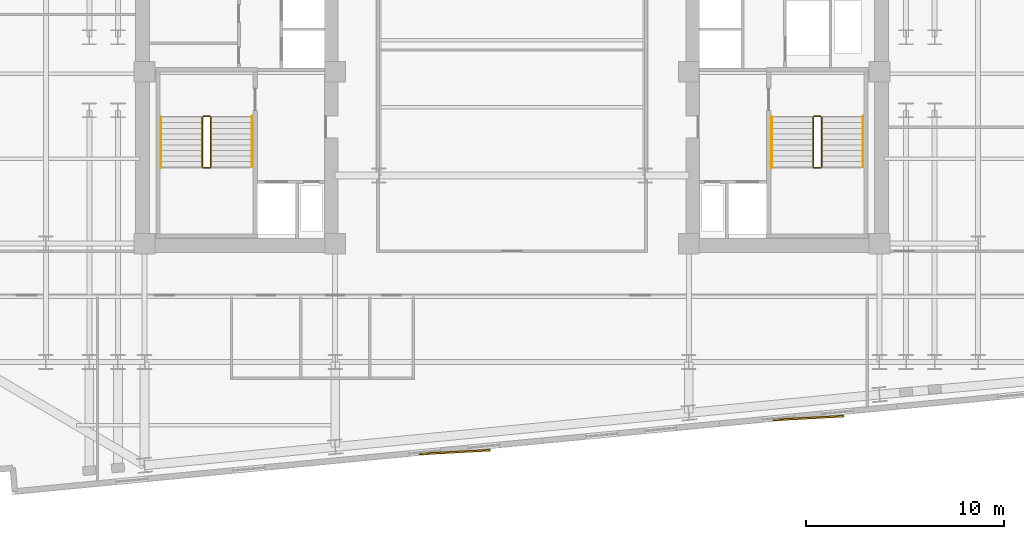
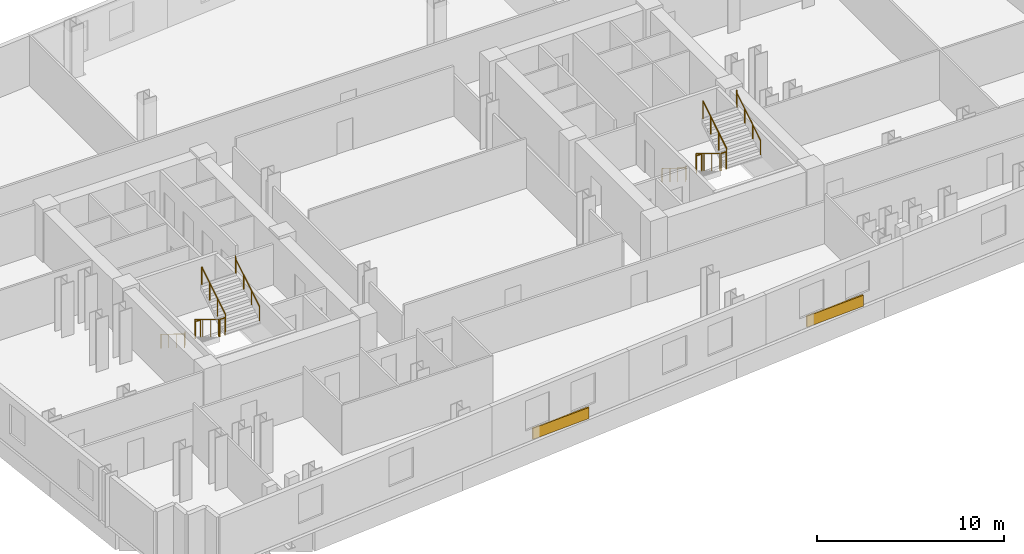
# One storey, part 9 of 10: 12 railings, 2 coverings.
"""IFC4 building model written with IfcOpenShell, lengths in metres."""

from ifc_helpers import new_model, si_unit, direction, frame, origin, origin_2d, place, context, subcontext, project, spatial, rectangle, circle, extrude, material, layer, layer_set, type_object, element, save


model = new_model("IFC4")

# Units and contexts
model_context = context("Model", 3, precision=1e-05, world=origin(), true_north=direction((0.0, 1.0)))
body_context = subcontext(model_context, "Body", "Model", "MODEL_VIEW")
ifc_project = project(units=[si_unit("LENGTHUNIT", "METRE"), si_unit("AREAUNIT", "SQUARE_METRE"), si_unit("VOLUMEUNIT", "CUBIC_METRE"), si_unit("PLANEANGLEUNIT", "RADIAN"), si_unit("MASSUNIT", "GRAM", prefix="KILO")], contexts=[model_context])

# Site, building, storey
site_placement = place(None, origin())
site = spatial("IfcSite", under=ifc_project, at=site_placement, CompositionType="ELEMENT")
building_placement = place(site_placement, origin())
building = spatial("IfcBuilding", under=site, at=building_placement, Name="Velakula Bourse", CompositionType="ELEMENT")
storey_placement = place(building_placement, frame((0.0, 0.0, 74.199951171875)))
storey = spatial("IfcBuildingStorey", under=building, at=storey_placement, Name="L19", CompositionType="ELEMENT", Elevation=74.199951171875)

# Coverings
ifc_material_1 = material(Name="Buff kilned clay facing brick masonry", Category="masonry")
ifc_layer = layer(ifc_material_1, 0.074951171875, Name="Buff kilned clay facing brick masonry", Category="masonry")
ifc_layer_set = layer_set([ifc_layer], Name="Buff kilned clay facing brick masonry")
covering_type = type_object("IfcCoveringType", Name="COV-BRK-SPN-75", PredefinedType="CLADDING", material=ifc_layer_set)
for number, where, z_axis, x_axis, name in (
    (1, (-2.908447265625, -19.154052734375, 0.0), (0.0, 0.0, 1.0), (0.998489097451, 0.054950179912, 0.0), "L19 Folded Brick Facade Cladding Panel S-B2"),
    (2, (15.0087890625, -17.428955078125, 0.0), (0.0, 0.0, 1.0), (0.998489097451, 0.054950179912, 0.0), "L19 Folded Brick Facade Cladding Panel S-B4"),
):
    element("IfcCovering", number, at=place(storey_placement, frame(where, z_axis=z_axis, x_axis=x_axis)), inside=storey, type_object=covering_type, Name=name, PredefinedType="CLADDING", context=body_context, shape_type="SweptSolid", body=[
        extrude(rectangle(XDim=3.60009765625, YDim=0.090087890625, at=origin_2d()), origin(), (0.0, 0.0, 1.0), 0.719970703125),
    ])

# Railings
ifc_material_2 = material(Name="Brushed grade 316 stainless steel", Category="steel")
railing_type_1 = type_object("IfcRailingType", Name="RLG-STAIR-GUARD-1150", PredefinedType="BALUSTRADE", material=ifc_material_2)
railing_1_placement = place(storey_placement, frame((-15.672119140625, -2.199951171875, 0.172607421875)))
element("IfcRailing", 3, at=railing_1_placement, inside=storey, type_object=railing_type_1, Name="L19 ST-W1 stair guard 1", PredefinedType="BALUSTRADE", context=body_context, shape_type="SweptSolid", body=[
    extrude(circle(Radius=0.02490234375, at=origin_2d()), frame((0.0, 0.0, 1.125), z_axis=(0.0, -0.851400495292, 0.524516154772), x_axis=(1.0, 0.0, 0.0)), (0.0, 0.0, 1.0), 2.9599609375),
    extrude(circle(Radius=0.02099609375, at=origin_2d()), origin(), (0.0, 0.0, 1.0), 1.099853515625),
    extrude(circle(Radius=0.02099609375, at=origin_2d()), frame((0.0, -0.840087890625, 0.517578125)), (0.0, 0.0, 1.0), 1.099853515625),
    extrude(circle(Radius=0.02099609375, at=origin_2d()), frame((0.0, -1.679931640625, 1.034912109375)), (0.0, 0.0, 1.0), 1.099853515625),
    extrude(circle(Radius=0.02099609375, at=origin_2d()), frame((0.0, -2.52001953125, 1.552490234375)), (0.0, 0.0, 1.0), 1.099853515625),
])
railing_2_placement = place(storey_placement, frame((-15.6220703125, -4.77001953125, 1.72509765625)))
element("IfcRailing", 4, at=railing_2_placement, inside=storey, type_object=railing_type_1, Name="L19 ST-W1 stair guard 2", PredefinedType="BALUSTRADE", context=body_context, shape_type="SweptSolid", body=[
    extrude(circle(Radius=0.02490234375, at=origin_2d()), frame((0.0, 0.0, 1.125), z_axis=(1.0, 0.0, 0.0), x_axis=(0.0, 1.0, 0.0)), (0.0, 0.0, 1.0), 0.323974609375),
    extrude(circle(Radius=0.02099609375, at=origin_2d()), origin(), (0.0, 0.0, 1.0), 1.099853515625),
    extrude(circle(Radius=0.02099609375, at=origin_2d()), frame((0.323974609375, 0.0, 0.0)), (0.0, 0.0, 1.0), 1.099853515625),
])
railing_3_placement = place(storey_placement, frame((-15.248046875, -4.719970703125, 1.8974609375)))
element("IfcRailing", 5, at=railing_3_placement, inside=storey, type_object=railing_type_1, Name="L19 ST-W1 stair guard 3", PredefinedType="BALUSTRADE", context=body_context, shape_type="SweptSolid", body=[
    extrude(circle(Radius=0.02490234375, at=origin_2d()), frame((0.0, 0.0, 1.125), z_axis=(0.0, 0.851400495292, 0.524516154772), x_axis=(-1.0, 0.0, 0.0)), (0.0, 0.0, 1.0), 2.9599609375),
    extrude(circle(Radius=0.02099609375, at=origin_2d()), origin(), (0.0, 0.0, 1.0), 1.099853515625),
    extrude(circle(Radius=0.02099609375, at=origin_2d()), frame((0.0, 0.840087890625, 0.517578125)), (0.0, 0.0, 1.0), 1.099853515625),
    extrude(circle(Radius=0.02099609375, at=origin_2d()), frame((0.0, 1.679931640625, 1.034912109375)), (0.0, 0.0, 1.0), 1.099853515625),
    extrude(circle(Radius=0.02099609375, at=origin_2d()), frame((0.0, 2.52001953125, 1.552490234375)), (0.0, 0.0, 1.0), 1.099853515625),
])
railing_4_placement = place(storey_placement, frame((-15.6220703125, -2.14990234375, 0.0)))
element("IfcRailing", 6, at=railing_4_placement, inside=storey, type_object=railing_type_1, Name="L19 ST-W1 stair guard 4", PredefinedType="BALUSTRADE", context=body_context, shape_type="SweptSolid", body=[
    extrude(circle(Radius=0.02490234375, at=origin_2d()), frame((0.0, 0.0, 1.125), z_axis=(1.0, 0.0, 0.0), x_axis=(0.0, 1.0, 0.0)), (0.0, 0.0, 1.0), 0.323974609375),
    extrude(circle(Radius=0.02099609375, at=origin_2d()), origin(), (0.0, 0.0, 1.0), 1.099853515625),
    extrude(circle(Radius=0.02099609375, at=origin_2d()), frame((0.323974609375, 0.0, 0.0)), (0.0, 0.0, 1.0), 1.099853515625),
])
railing_5_placement = place(storey_placement, frame((15.248046875, -2.199951171875, 0.172607421875)))
element("IfcRailing", 7, at=railing_5_placement, inside=storey, type_object=railing_type_1, Name="L19 ST-E1 stair guard 1", PredefinedType="BALUSTRADE", context=body_context, shape_type="SweptSolid", body=[
    extrude(circle(Radius=0.02490234375, at=origin_2d()), frame((0.0, 0.0, 1.125), z_axis=(0.0, -0.851400495292, 0.524516154772), x_axis=(1.0, 0.0, 0.0)), (0.0, 0.0, 1.0), 2.9599609375),
    extrude(circle(Radius=0.02099609375, at=origin_2d()), origin(), (0.0, 0.0, 1.0), 1.099853515625),
    extrude(circle(Radius=0.02099609375, at=origin_2d()), frame((0.0, -0.840087890625, 0.517578125)), (0.0, 0.0, 1.0), 1.099853515625),
    extrude(circle(Radius=0.02099609375, at=origin_2d()), frame((0.0, -1.679931640625, 1.034912109375)), (0.0, 0.0, 1.0), 1.099853515625),
    extrude(circle(Radius=0.02099609375, at=origin_2d()), frame((0.0, -2.52001953125, 1.552490234375)), (0.0, 0.0, 1.0), 1.099853515625),
])
railing_6_placement = place(storey_placement, frame((15.298095703125, -4.77001953125, 1.72509765625)))
element("IfcRailing", 8, at=railing_6_placement, inside=storey, type_object=railing_type_1, Name="L19 ST-E1 stair guard 2", PredefinedType="BALUSTRADE", context=body_context, shape_type="SweptSolid", body=[
    extrude(circle(Radius=0.02490234375, at=origin_2d()), frame((0.0, 0.0, 1.125), z_axis=(1.0, 0.0, 0.0), x_axis=(0.0, 1.0, 0.0)), (0.0, 0.0, 1.0), 0.323974609375),
    extrude(circle(Radius=0.02099609375, at=origin_2d()), origin(), (0.0, 0.0, 1.0), 1.099853515625),
    extrude(circle(Radius=0.02099609375, at=origin_2d()), frame((0.323974609375, 0.0, 0.0)), (0.0, 0.0, 1.0), 1.099853515625),
])
railing_7_placement = place(storey_placement, frame((15.672119140625, -4.719970703125, 1.8974609375)))
element("IfcRailing", 9, at=railing_7_placement, inside=storey, type_object=railing_type_1, Name="L19 ST-E1 stair guard 3", PredefinedType="BALUSTRADE", context=body_context, shape_type="SweptSolid", body=[
    extrude(circle(Radius=0.02490234375, at=origin_2d()), frame((0.0, 0.0, 1.125), z_axis=(0.0, 0.851400495292, 0.524516154772), x_axis=(-1.0, 0.0, 0.0)), (0.0, 0.0, 1.0), 2.9599609375),
    extrude(circle(Radius=0.02099609375, at=origin_2d()), origin(), (0.0, 0.0, 1.0), 1.099853515625),
    extrude(circle(Radius=0.02099609375, at=origin_2d()), frame((0.0, 0.840087890625, 0.517578125)), (0.0, 0.0, 1.0), 1.099853515625),
    extrude(circle(Radius=0.02099609375, at=origin_2d()), frame((0.0, 1.679931640625, 1.034912109375)), (0.0, 0.0, 1.0), 1.099853515625),
    extrude(circle(Radius=0.02099609375, at=origin_2d()), frame((0.0, 2.52001953125, 1.552490234375)), (0.0, 0.0, 1.0), 1.099853515625),
])
railing_8_placement = place(storey_placement, frame((15.298095703125, -2.14990234375, 0.0)))
element("IfcRailing", 10, at=railing_8_placement, inside=storey, type_object=railing_type_1, Name="L19 ST-E1 stair guard 4", PredefinedType="BALUSTRADE", context=body_context, shape_type="SweptSolid", body=[
    extrude(circle(Radius=0.02490234375, at=origin_2d()), frame((0.0, 0.0, 1.125), z_axis=(1.0, 0.0, 0.0), x_axis=(0.0, 1.0, 0.0)), (0.0, 0.0, 1.0), 0.323974609375),
    extrude(circle(Radius=0.02099609375, at=origin_2d()), origin(), (0.0, 0.0, 1.0), 1.099853515625),
    extrude(circle(Radius=0.02099609375, at=origin_2d()), frame((0.323974609375, 0.0, 0.0)), (0.0, 0.0, 1.0), 1.099853515625),
])
railing_type_2 = type_object("IfcRailingType", Name="RLG-STAIR-HAND-920", PredefinedType="HANDRAIL", material=ifc_material_2)
railing_9_placement = place(storey_placement, frame((-17.77001953125, -2.199951171875, 0.172607421875)))
element("IfcRailing", 11, at=railing_9_placement, inside=storey, type_object=railing_type_2, Name="L19 ST-W1 stair handrail 1", PredefinedType="HANDRAIL", context=body_context, shape_type="SweptSolid", body=[
    extrude(circle(Radius=0.02099609375, at=origin_2d()), frame((0.0, 0.0, 0.89892578125), z_axis=(0.0, -0.851400495292, 0.524516154772), x_axis=(1.0, 0.0, 0.0)), (0.0, 0.0, 1.0), 2.9599609375),
    extrude(circle(Radius=0.02099609375, at=origin_2d()), frame((0.0, -2.52001953125, 2.451416015625), z_axis=(0.0, -0.226269970362, 0.974064628509), x_axis=(1.0, 0.0, 0.0)), (0.0, 0.0, 1.0), 0.177001953125),
    extrude(circle(Radius=0.02099609375, at=origin_2d()), frame((0.0, -2.56005859375, 2.623779296875), z_axis=(0.0, -1.0, 0.0), x_axis=(1.0, 0.0, 0.0)), (0.0, 0.0, 1.0), 0.0048828125),
    extrude(circle(Radius=0.02099609375, at=origin_2d()), origin(), (0.0, 0.0, 1.0), 0.8779296875),
    extrude(circle(Radius=0.02099609375, at=origin_2d()), frame((0.0, -0.840087890625, 0.517578125)), (0.0, 0.0, 1.0), 0.8779296875),
    extrude(circle(Radius=0.02099609375, at=origin_2d()), frame((0.0, -1.679931640625, 1.034912109375)), (0.0, 0.0, 1.0), 0.8779296875),
    extrude(circle(Radius=0.02099609375, at=origin_2d()), frame((0.0, -2.52001953125, 1.552490234375)), (0.0, 0.0, 1.0), 0.8779296875),
    extrude(circle(Radius=0.02099609375, at=origin_2d()), frame((0.0, -2.56005859375, 1.724853515625)), (0.0, 0.0, 1.0), 0.8779296875),
    extrude(circle(Radius=0.02099609375, at=origin_2d()), frame((0.0, -2.56494140625, 1.724853515625)), (0.0, 0.0, 1.0), 0.8779296875),
])
railing_10_placement = place(storey_placement, frame((-13.14990234375, -4.719970703125, 1.8974609375)))
element("IfcRailing", 12, at=railing_10_placement, inside=storey, type_object=railing_type_2, Name="L19 ST-W1 stair handrail 2", PredefinedType="HANDRAIL", context=body_context, shape_type="SweptSolid", body=[
    extrude(circle(Radius=0.02099609375, at=origin_2d()), frame((0.0, 0.0, 0.89892578125), z_axis=(0.0, 0.851400495292, 0.524516154772), x_axis=(-1.0, 0.0, 0.0)), (0.0, 0.0, 1.0), 2.9599609375),
    extrude(circle(Radius=0.02099609375, at=origin_2d()), frame((0.0, 2.52001953125, 2.451416015625), z_axis=(0.0, 0.22596628056, 0.974135124123), x_axis=(-1.0, 0.0, 0.0)), (0.0, 0.0, 1.0), 0.17724609375),
    extrude(circle(Radius=0.02099609375, at=origin_2d()), frame((0.0, 2.56005859375, 2.6240234375), z_axis=(0.0, 1.0, 0.0), x_axis=(-1.0, 0.0, 0.0)), (0.0, 0.0, 1.0), 0.0048828125),
    extrude(circle(Radius=0.02099609375, at=origin_2d()), origin(), (0.0, 0.0, 1.0), 0.8779296875),
    extrude(circle(Radius=0.02099609375, at=origin_2d()), frame((0.0, 0.840087890625, 0.517578125)), (0.0, 0.0, 1.0), 0.8779296875),
    extrude(circle(Radius=0.02099609375, at=origin_2d()), frame((0.0, 1.679931640625, 1.034912109375)), (0.0, 0.0, 1.0), 0.8779296875),
    extrude(circle(Radius=0.02099609375, at=origin_2d()), frame((0.0, 2.52001953125, 1.552490234375)), (0.0, 0.0, 1.0), 0.8779296875),
    extrude(circle(Radius=0.02099609375, at=origin_2d()), frame((0.0, 2.56005859375, 1.72509765625)), (0.0, 0.0, 1.0), 0.8779296875),
    extrude(circle(Radius=0.02099609375, at=origin_2d()), frame((0.0, 2.56494140625, 1.72509765625)), (0.0, 0.0, 1.0), 0.8779296875),
])
railing_11_placement = place(storey_placement, frame((13.14990234375, -2.199951171875, 0.172607421875)))
element("IfcRailing", 13, at=railing_11_placement, inside=storey, type_object=railing_type_2, Name="L19 ST-E1 stair handrail 1", PredefinedType="HANDRAIL", context=body_context, shape_type="SweptSolid", body=[
    extrude(circle(Radius=0.02099609375, at=origin_2d()), frame((0.0, 0.0, 0.89892578125), z_axis=(0.0, -0.851400495292, 0.524516154772), x_axis=(1.0, 0.0, 0.0)), (0.0, 0.0, 1.0), 2.9599609375),
    extrude(circle(Radius=0.02099609375, at=origin_2d()), frame((0.0, -2.52001953125, 2.451416015625), z_axis=(0.0, -0.226269970362, 0.974064628509), x_axis=(1.0, 0.0, 0.0)), (0.0, 0.0, 1.0), 0.177001953125),
    extrude(circle(Radius=0.02099609375, at=origin_2d()), frame((0.0, -2.56005859375, 2.623779296875), z_axis=(0.0, -1.0, 0.0), x_axis=(1.0, 0.0, 0.0)), (0.0, 0.0, 1.0), 0.0048828125),
    extrude(circle(Radius=0.02099609375, at=origin_2d()), origin(), (0.0, 0.0, 1.0), 0.8779296875),
    extrude(circle(Radius=0.02099609375, at=origin_2d()), frame((0.0, -0.840087890625, 0.517578125)), (0.0, 0.0, 1.0), 0.8779296875),
    extrude(circle(Radius=0.02099609375, at=origin_2d()), frame((0.0, -1.679931640625, 1.034912109375)), (0.0, 0.0, 1.0), 0.8779296875),
    extrude(circle(Radius=0.02099609375, at=origin_2d()), frame((0.0, -2.52001953125, 1.552490234375)), (0.0, 0.0, 1.0), 0.8779296875),
    extrude(circle(Radius=0.02099609375, at=origin_2d()), frame((0.0, -2.56005859375, 1.724853515625)), (0.0, 0.0, 1.0), 0.8779296875),
    extrude(circle(Radius=0.02099609375, at=origin_2d()), frame((0.0, -2.56494140625, 1.724853515625)), (0.0, 0.0, 1.0), 0.8779296875),
])
railing_12_placement = place(storey_placement, frame((17.77001953125, -4.719970703125, 1.8974609375)))
element("IfcRailing", 14, at=railing_12_placement, inside=storey, type_object=railing_type_2, Name="L19 ST-E1 stair handrail 2", PredefinedType="HANDRAIL", context=body_context, shape_type="SweptSolid", body=[
    extrude(circle(Radius=0.02099609375, at=origin_2d()), frame((0.0, 0.0, 0.89892578125), z_axis=(0.0, 0.851400495292, 0.524516154772), x_axis=(-1.0, 0.0, 0.0)), (0.0, 0.0, 1.0), 2.9599609375),
    extrude(circle(Radius=0.02099609375, at=origin_2d()), frame((0.0, 2.52001953125, 2.451416015625), z_axis=(0.0, 0.22596628056, 0.974135124123), x_axis=(-1.0, 0.0, 0.0)), (0.0, 0.0, 1.0), 0.17724609375),
    extrude(circle(Radius=0.02099609375, at=origin_2d()), frame((0.0, 2.56005859375, 2.6240234375), z_axis=(0.0, 1.0, 0.0), x_axis=(-1.0, 0.0, 0.0)), (0.0, 0.0, 1.0), 0.0048828125),
    extrude(circle(Radius=0.02099609375, at=origin_2d()), origin(), (0.0, 0.0, 1.0), 0.8779296875),
    extrude(circle(Radius=0.02099609375, at=origin_2d()), frame((0.0, 0.840087890625, 0.517578125)), (0.0, 0.0, 1.0), 0.8779296875),
    extrude(circle(Radius=0.02099609375, at=origin_2d()), frame((0.0, 1.679931640625, 1.034912109375)), (0.0, 0.0, 1.0), 0.8779296875),
    extrude(circle(Radius=0.02099609375, at=origin_2d()), frame((0.0, 2.52001953125, 1.552490234375)), (0.0, 0.0, 1.0), 0.8779296875),
    extrude(circle(Radius=0.02099609375, at=origin_2d()), frame((0.0, 2.56005859375, 1.72509765625)), (0.0, 0.0, 1.0), 0.8779296875),
    extrude(circle(Radius=0.02099609375, at=origin_2d()), frame((0.0, 2.56494140625, 1.72509765625)), (0.0, 0.0, 1.0), 0.8779296875),
])

save(model, "model.ifc")
